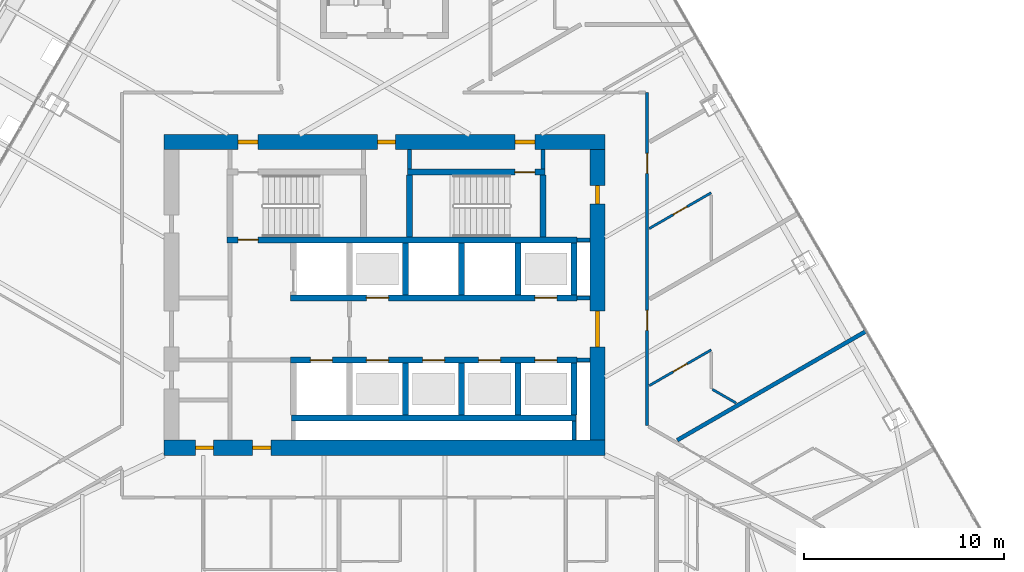
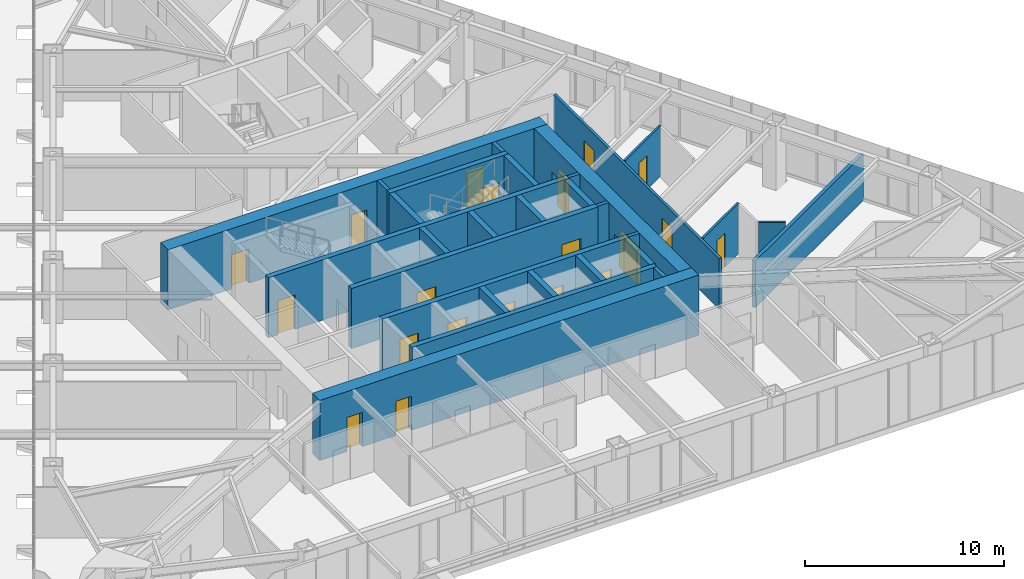
# One storey, part 28 of 35: 29 walls, 20 doors, 20 openings.
"""IFC4 building model written with IfcOpenShell, lengths in metres."""

from ifc_helpers import new_model, si_unit, direction, frame, frame_2d, origin, place, context, subcontext, project, spatial, rectangle, extrude, material, layer, layer_set, type_object, element, fill, save


model = new_model("IFC4")

# Units and contexts
model_context = context("Model", 3, precision=1e-05, world=origin(), true_north=direction((0.0, 1.0)))
body_context = subcontext(model_context, "Body", "Model", "MODEL_VIEW")
ifc_project = project(units=[si_unit("LENGTHUNIT", "METRE"), si_unit("AREAUNIT", "SQUARE_METRE"), si_unit("VOLUMEUNIT", "CUBIC_METRE"), si_unit("PLANEANGLEUNIT", "RADIAN"), si_unit("MASSUNIT", "GRAM", prefix="KILO")], contexts=[model_context])

# Site, building, storey
site_placement = place(None, origin())
site = spatial("IfcSite", under=ifc_project, at=site_placement, CompositionType="ELEMENT")
building_placement = place(site_placement, origin())
building = spatial("IfcBuilding", under=site, at=building_placement, Name="Firuza Gate Tower and Library", CompositionType="ELEMENT")
storey_placement = place(building_placement, frame((0.0, 0.0, 159.699951171875)))
storey = spatial("IfcBuildingStorey", under=building, at=storey_placement, Name="L36", CompositionType="ELEMENT", Elevation=159.699951171875)

# Walls
ifc_material_1 = material(Name="Plasterboard on steel studs", Category="steel")
ifc_layer_1 = layer(ifc_material_1, 0.199951171875)
ifc_layer_set_1 = layer_set([ifc_layer_1], Name="Core partition 200 EI 120")
wall_type_1 = type_object("IfcWallType", Name="Core partition 200 EI 120", PredefinedType="PARTITIONING", material=ifc_layer_set_1)
for number, where, z_axis, x_axis, name in (
    (1, (84.60009765625, 71.75, 0.0), (0.0, 0.0, 1.0), (1.0, 0.0, 0.0), "Core partition L36 3"),
    (2, (84.60009765625, 74.85009765625, 0.0), (0.0, 0.0, 1.0), (1.0, 0.0, 0.0), "Core partition L36 5"),
    (3, (84.60009765625, 77.75, 0.0), (0.0, 0.0, 1.0), (1.0, 0.0, 0.0), "Core partition L36 6"),
):
    element("IfcWall", number, at=place(storey_placement, frame(where, z_axis=z_axis, x_axis=x_axis)), inside=storey, type_object=wall_type_1, Name=name, PredefinedType="PARTITIONING", context=body_context, shape_type="SweptSolid", body=[
        extrude(rectangle(XDim=0.64990234375, YDim=0.199951171875, at=frame_2d((0.324951171875, 0.0))), origin(), (0.0, 0.0, 1.0), 3.699951171875),
    ])
wall_1_placement = place(storey_placement, frame((84.449951171875, 67.75, 0.0), z_axis=(0.0, 0.0, 1.0), x_axis=(0.0, 1.0, 0.0)))
element("IfcWall", 4, at=wall_1_placement, inside=storey, type_object=wall_type_1, Name="Core partition L36 15", PredefinedType="PARTITIONING", context=body_context, shape_type="SweptSolid", body=[
    extrude(rectangle(XDim=0.949951171875, YDim=0.199951171875, at=frame_2d((0.47509765625, 0.0))), origin(), (0.0, 0.0, 1.0), 3.699951171875),
])
ifc_material_2 = material(Name="Plasterboard on steel studs", Category="steel")
ifc_layer_2 = layer(ifc_material_2, 0.199951171875)
ifc_layer_set_2 = layer_set([ifc_layer_2], Name="Core partition 200 EI 60")
wall_type_2 = type_object("IfcWallType", Name="Core partition 200 EI 60", PredefinedType="PARTITIONING", material=ifc_layer_set_2)
for number, where, z_axis, x_axis, name in (
    (5, (76.239990234375, 81.280029296875, 0.0), (0.0, 0.0, 1.0), (0.0, 1.0, 0.0), "Core partition L36 13"),
    (6, (82.89990234375, 81.280029296875, 0.0), (0.0, 0.0, 1.0), (0.0, 1.0, 0.0), "Core partition L36 14"),
):
    element("IfcWall", number, at=place(storey_placement, frame(where, z_axis=z_axis, x_axis=x_axis)), inside=storey, type_object=wall_type_2, Name=name, PredefinedType="PARTITIONING", context=body_context, shape_type="SweptSolid", body=[
        extrude(rectangle(XDim=0.969970703125, YDim=0.199951171875, at=frame_2d((0.48486328125, 0.0))), origin(), (0.0, 0.0, 1.0), 3.699951171875),
    ])
ifc_material_3 = material(Name="Concrete C80/95", Category="concrete")
ifc_layer_3 = layer(ifc_material_3, 0.300048828125)
ifc_layer_set_3 = layer_set([ifc_layer_3], Name="Core wall 300 C80/95")
wall_type_3 = type_object("IfcWallType", Name="Core wall 300 C80/95", PredefinedType="SHEAR", material=ifc_layer_set_3)
wall_2_placement = place(storey_placement, frame((70.35009765625, 68.85009765625, 0.0), z_axis=(0.0, 0.0, 1.0), x_axis=(1.0, 0.0, 0.0)))
element("IfcWall", 7, at=wall_2_placement, inside=storey, type_object=wall_type_3, Name="Core wall L36 5", PredefinedType="SHEAR", context=body_context, shape_type="SweptSolid", body=[
    extrude(rectangle(XDim=14.199951171875, YDim=0.300048828125, at=frame_2d((7.10009765625, 0.0))), origin(), (0.0, 0.0, 1.0), 3.699951171875),
])

# Wall, openings, doors
wall_3_placement = place(storey_placement, frame((70.300048828125, 71.75, 0.0), z_axis=(0.0, 0.0, 1.0), x_axis=(1.0, 0.0, 0.0)))
wall_3 = element("IfcWall", 8, at=wall_3_placement, inside=storey, type_object=wall_type_3, Name="Core wall L36 6", PredefinedType="SHEAR", context=body_context, shape_type="SweptSolid", body=[
    extrude(rectangle(XDim=14.300048828125, YDim=0.300048828125, at=frame_2d((7.14990234375, 0.0))), origin(), (0.0, 0.0, 1.0), 3.699951171875),
])
opening_1_placement = place(wall_3_placement, frame((1.0, 0.0, 0.0)))
opening_1 = element("IfcOpeningElement", 9, at=opening_1_placement, cuts=wall_3, Name="Opening LD-FF1-L36", PredefinedType="OPENING", context=body_context, shape_type="SweptSolid", body=[
    extrude(rectangle(XDim=1.10009765625, YDim=2.10009765625, at=frame_2d((0.550048828125, 1.050048828125))), frame((0.0, 0.16015625, 0.0), z_axis=(0.0, -1.0, 0.0), x_axis=(1.0, 0.0, 0.0)), (0.0, 0.0, 1.0), 0.320068359375),
])
opening_2_placement = place(wall_3_placement, frame((3.800048828125, 0.0, 0.0)))
opening_2 = element("IfcOpeningElement", 10, at=opening_2_placement, cuts=wall_3, Name="Opening LD-MR1-L36", PredefinedType="OPENING", context=body_context, shape_type="SweptSolid", body=[
    extrude(rectangle(XDim=1.10009765625, YDim=2.10009765625, at=frame_2d((0.550048828125, 1.050048828125))), frame((0.0, 0.16015625, 0.0), z_axis=(0.0, -1.0, 0.0), x_axis=(1.0, 0.0, 0.0)), (0.0, 0.0, 1.0), 0.320068359375),
])
opening_3_placement = place(wall_3_placement, frame((6.60009765625, 0.0, 0.0)))
opening_3 = element("IfcOpeningElement", 11, at=opening_3_placement, cuts=wall_3, Name="Opening LD-MR2-L36", PredefinedType="OPENING", context=body_context, shape_type="SweptSolid", body=[
    extrude(rectangle(XDim=1.10009765625, YDim=2.10009765625, at=frame_2d((0.550048828125, 1.050048828125))), frame((0.0, 0.16015625, 0.0), z_axis=(0.0, -1.0, 0.0), x_axis=(1.0, 0.0, 0.0)), (0.0, 0.0, 1.0), 0.320068359375),
])
opening_4_placement = place(wall_3_placement, frame((9.39990234375, 0.0, 0.0)))
opening_4 = element("IfcOpeningElement", 12, at=opening_4_placement, cuts=wall_3, Name="Opening LD-MR3-L36", PredefinedType="OPENING", context=body_context, shape_type="SweptSolid", body=[
    extrude(rectangle(XDim=1.10009765625, YDim=2.10009765625, at=frame_2d((0.550048828125, 1.050048828125))), frame((0.0, 0.16015625, 0.0), z_axis=(0.0, -1.0, 0.0), x_axis=(1.0, 0.0, 0.0)), (0.0, 0.0, 1.0), 0.320068359375),
])
opening_5_placement = place(wall_3_placement, frame((12.199951171875, 0.0, 0.0)))
opening_5 = element("IfcOpeningElement", 13, at=opening_5_placement, cuts=wall_3, Name="Opening LD-MR5-L36", PredefinedType="OPENING", context=body_context, shape_type="SweptSolid", body=[
    extrude(rectangle(XDim=1.10009765625, YDim=2.10009765625, at=frame_2d((0.550048828125, 1.050048828125))), frame((0.0, 0.16015625, 0.0), z_axis=(0.0, -1.0, 0.0), x_axis=(1.0, 0.0, 0.0)), (0.0, 0.0, 1.0), 0.320068359375),
])
ifc_material_4 = material(Name="Stainless steel", Category="steel")
door_type_1 = type_object("IfcDoorType", Name="Lift landing door 1100x2100", OperationType="DOUBLE_DOOR_SLIDING", PredefinedType="DOOR", material=ifc_material_4)
door_1_placement = place(opening_1_placement, origin())
door_1 = element("IfcDoor", 14, at=door_1_placement, inside=storey, type_object=door_type_1, Name="Landing door FF1 L36", OperationType="DOUBLE_DOOR_SLIDING", OverallHeight=2.10009765625, OverallWidth=1.10009765625, PredefinedType="DOOR", context=body_context, shape_type="SweptSolid", body=[
    extrude(rectangle(XDim=1.10009765625, YDim=2.10009765625, at=frame_2d((0.550048828125, 1.050048828125))), frame((0.0, 0.02490234375, 0.0), z_axis=(0.0, -1.0, 0.0), x_axis=(1.0, 0.0, 0.0)), (0.0, 0.0, 1.0), 0.050048828125),
])
fill(opening_1, door_1)
door_2_placement = place(opening_2_placement, origin())
door_2 = element("IfcDoor", 15, at=door_2_placement, inside=storey, type_object=door_type_1, Name="Landing door MR1 L36", OperationType="DOUBLE_DOOR_SLIDING", OverallHeight=2.10009765625, OverallWidth=1.10009765625, PredefinedType="DOOR", context=body_context, shape_type="SweptSolid", body=[
    extrude(rectangle(XDim=1.10009765625, YDim=2.10009765625, at=frame_2d((0.550048828125, 1.050048828125))), frame((0.0, 0.02490234375, 0.0), z_axis=(0.0, -1.0, 0.0), x_axis=(1.0, 0.0, 0.0)), (0.0, 0.0, 1.0), 0.050048828125),
])
fill(opening_2, door_2)
door_3_placement = place(opening_3_placement, origin())
door_3 = element("IfcDoor", 16, at=door_3_placement, inside=storey, type_object=door_type_1, Name="Landing door MR2 L36", OperationType="DOUBLE_DOOR_SLIDING", OverallHeight=2.10009765625, OverallWidth=1.10009765625, PredefinedType="DOOR", context=body_context, shape_type="SweptSolid", body=[
    extrude(rectangle(XDim=1.10009765625, YDim=2.10009765625, at=frame_2d((0.550048828125, 1.050048828125))), frame((0.0, 0.02490234375, 0.0), z_axis=(0.0, -1.0, 0.0), x_axis=(1.0, 0.0, 0.0)), (0.0, 0.0, 1.0), 0.050048828125),
])
fill(opening_3, door_3)
door_4_placement = place(opening_4_placement, origin())
door_4 = element("IfcDoor", 17, at=door_4_placement, inside=storey, type_object=door_type_1, Name="Landing door MR3 L36", OperationType="DOUBLE_DOOR_SLIDING", OverallHeight=2.10009765625, OverallWidth=1.10009765625, PredefinedType="DOOR", context=body_context, shape_type="SweptSolid", body=[
    extrude(rectangle(XDim=1.10009765625, YDim=2.10009765625, at=frame_2d((0.550048828125, 1.050048828125))), frame((0.0, 0.02490234375, 0.0), z_axis=(0.0, -1.0, 0.0), x_axis=(1.0, 0.0, 0.0)), (0.0, 0.0, 1.0), 0.050048828125),
])
fill(opening_4, door_4)
door_5_placement = place(opening_5_placement, origin())
door_5 = element("IfcDoor", 18, at=door_5_placement, inside=storey, type_object=door_type_1, Name="Landing door MR5 L36", OperationType="DOUBLE_DOOR_SLIDING", OverallHeight=2.10009765625, OverallWidth=1.10009765625, PredefinedType="DOOR", context=body_context, shape_type="SweptSolid", body=[
    extrude(rectangle(XDim=1.10009765625, YDim=2.10009765625, at=frame_2d((0.550048828125, 1.050048828125))), frame((0.0, 0.02490234375, 0.0), z_axis=(0.0, -1.0, 0.0), x_axis=(1.0, 0.0, 0.0)), (0.0, 0.0, 1.0), 0.050048828125),
])
fill(opening_5, door_5)

wall_4_placement = place(storey_placement, frame((70.300048828125, 74.85009765625, 0.0), z_axis=(0.0, 0.0, 1.0), x_axis=(1.0, 0.0, 0.0)))
wall_4 = element("IfcWall", 19, at=wall_4_placement, inside=storey, type_object=wall_type_3, Name="Core wall L36 7", PredefinedType="SHEAR", context=body_context, shape_type="SweptSolid", body=[
    extrude(rectangle(XDim=14.300048828125, YDim=0.300048828125, at=frame_2d((7.14990234375, 0.0))), origin(), (0.0, 0.0, 1.0), 3.699951171875),
])
opening_6_placement = place(wall_4_placement, frame((3.800048828125, 0.0, 0.0)))
opening_6 = element("IfcOpeningElement", 20, at=opening_6_placement, cuts=wall_4, Name="Opening LD-MR4-L36", PredefinedType="OPENING", context=body_context, shape_type="SweptSolid", body=[
    extrude(rectangle(XDim=1.10009765625, YDim=2.10009765625, at=frame_2d((0.550048828125, 1.050048828125))), frame((0.0, 0.16015625, 0.0), z_axis=(0.0, -1.0, 0.0), x_axis=(1.0, 0.0, 0.0)), (0.0, 0.0, 1.0), 0.320068359375),
])
opening_7_placement = place(wall_4_placement, frame((12.199951171875, 0.0, 0.0)))
opening_7 = element("IfcOpeningElement", 21, at=opening_7_placement, cuts=wall_4, Name="Opening LD-MR6-L36", PredefinedType="OPENING", context=body_context, shape_type="SweptSolid", body=[
    extrude(rectangle(XDim=1.10009765625, YDim=2.10009765625, at=frame_2d((0.550048828125, 1.050048828125))), frame((0.0, 0.16015625, 0.0), z_axis=(0.0, -1.0, 0.0), x_axis=(1.0, 0.0, 0.0)), (0.0, 0.0, 1.0), 0.320068359375),
])
door_6_placement = place(opening_6_placement, origin())
door_6 = element("IfcDoor", 22, at=door_6_placement, inside=storey, type_object=door_type_1, Name="Landing door MR4 L36", OperationType="DOUBLE_DOOR_SLIDING", OverallHeight=2.10009765625, OverallWidth=1.10009765625, PredefinedType="DOOR", context=body_context, shape_type="SweptSolid", body=[
    extrude(rectangle(XDim=1.10009765625, YDim=2.10009765625, at=frame_2d((0.550048828125, 1.050048828125))), frame((0.0, 0.02490234375, 0.0), z_axis=(0.0, -1.0, 0.0), x_axis=(1.0, 0.0, 0.0)), (0.0, 0.0, 1.0), 0.050048828125),
])
fill(opening_6, door_6)
door_7_placement = place(opening_7_placement, origin())
door_7 = element("IfcDoor", 23, at=door_7_placement, inside=storey, type_object=door_type_1, Name="Landing door MR6 L36", OperationType="DOUBLE_DOOR_SLIDING", OverallHeight=2.10009765625, OverallWidth=1.10009765625, PredefinedType="DOOR", context=body_context, shape_type="SweptSolid", body=[
    extrude(rectangle(XDim=1.10009765625, YDim=2.10009765625, at=frame_2d((0.550048828125, 1.050048828125))), frame((0.0, 0.02490234375, 0.0), z_axis=(0.0, -1.0, 0.0), x_axis=(1.0, 0.0, 0.0)), (0.0, 0.0, 1.0), 0.050048828125),
])
fill(opening_7, door_7)

# Walls
for number, where, z_axis, x_axis, name in (
    (24, (76.050048828125, 69.0, 0.0), (0.0, 0.0, 1.0), (0.0, 1.0, 0.0), "Core wall L36 12"),
    (25, (76.050048828125, 75.0, 0.0), (0.0, 0.0, 1.0), (0.0, 1.0, 0.0), "Core wall L36 13"),
    (26, (78.85009765625, 69.0, 0.0), (0.0, 0.0, 1.0), (0.0, 1.0, 0.0), "Core wall L36 14"),
    (27, (78.85009765625, 75.0, 0.0), (0.0, 0.0, 1.0), (0.0, 1.0, 0.0), "Core wall L36 15"),
    (28, (81.64990234375, 69.0, 0.0), (0.0, 0.0, 1.0), (0.0, 1.0, 0.0), "Core wall L36 16"),
    (29, (81.64990234375, 75.0, 0.0), (0.0, 0.0, 1.0), (0.0, 1.0, 0.0), "Core wall L36 17"),
    (30, (84.449951171875, 69.0, 0.0), (0.0, 0.0, 1.0), (0.0, 1.0, 0.0), "Core wall L36 18"),
    (31, (84.449951171875, 75.0, 0.0), (0.0, 0.0, 1.0), (0.0, 1.0, 0.0), "Core wall L36 19"),
):
    element("IfcWall", number, at=place(storey_placement, frame(where, z_axis=z_axis, x_axis=x_axis)), inside=storey, type_object=wall_type_3, Name=name, PredefinedType="SHEAR", context=body_context, shape_type="SweptSolid", body=[
        extrude(rectangle(XDim=2.60009765625, YDim=0.300048828125, at=frame_2d((1.300048828125, 0.0))), origin(), (0.0, 0.0, 1.0), 3.699951171875),
    ])

# Wall, opening, door
wall_5_placement = place(storey_placement, frame((67.14990234375, 77.75, 0.0), z_axis=(0.0, 0.0, 1.0), x_axis=(1.0, 0.0, 0.0)))
wall_5 = element("IfcWall", 32, at=wall_5_placement, inside=storey, type_object=wall_type_3, Name="Core wall L36 20", PredefinedType="SHEAR", context=body_context, shape_type="SweptSolid", body=[
    extrude(rectangle(XDim=17.4501953125, YDim=0.300048828125, at=frame_2d((8.72509765625, 0.0))), origin(), (0.0, 0.0, 1.0), 3.699951171875),
])
opening_8_placement = place(wall_5_placement, frame((0.544921875, 0.0, 0.0)))
opening_8 = element("IfcOpeningElement", 33, at=opening_8_placement, cuts=wall_5, Name="Opening L36-K10", PredefinedType="OPENING", context=body_context, shape_type="SweptSolid", body=[
    extrude(rectangle(XDim=1.0, YDim=2.10009765625, at=frame_2d((0.5, 1.050048828125))), frame((0.0, 0.16015625, 0.0), z_axis=(0.0, -1.0, 0.0), x_axis=(1.0, 0.0, 0.0)), (0.0, 0.0, 1.0), 0.320068359375),
])
ifc_material_5 = material(Name="Steel", Category="steel")
door_type_2 = type_object("IfcDoorType", Name="Fire door 1000x2100 FD90", OperationType="NOTDEFINED", PredefinedType="DOOR", material=ifc_material_5)
door_8_placement = place(opening_8_placement, origin())
door_8 = element("IfcDoor", 34, at=door_8_placement, inside=storey, type_object=door_type_2, Name="Door L36-K10", OperationType="SINGLE_SWING_LEFT", OverallHeight=2.10009765625, OverallWidth=1.0, PredefinedType="DOOR", context=body_context, shape_type="SweptSolid", body=[
    extrude(rectangle(XDim=1.0, YDim=2.10009765625, at=frame_2d((0.5, 1.050048828125))), frame((0.0, 0.02490234375, 0.0), z_axis=(0.0, -1.0, 0.0), x_axis=(1.0, 0.0, 0.0)), (0.0, 0.0, 1.0), 0.050048828125),
])
fill(opening_8, door_8)

wall_6_placement = place(storey_placement, frame((76.139892578125, 81.1298828125, 0.0), z_axis=(0.0, 0.0, 1.0), x_axis=(1.0, 0.0, 0.0)))
wall_6 = element("IfcWall", 35, at=wall_6_placement, inside=storey, type_object=wall_type_3, Name="Core wall L36 22", PredefinedType="SHEAR", context=body_context, shape_type="SweptSolid", body=[
    extrude(rectangle(XDim=6.860107421875, YDim=0.300048828125, at=frame_2d((3.43017578125, 0.0))), origin(), (0.0, 0.0, 1.0), 3.699951171875),
])
opening_9_placement = place(wall_6_placement, frame((5.364990234375, 0.0, 0.0)))
opening_9 = element("IfcOpeningElement", 36, at=opening_9_placement, cuts=wall_6, Name="Opening L36-K13", PredefinedType="OPENING", context=body_context, shape_type="SweptSolid", body=[
    extrude(rectangle(XDim=1.0, YDim=2.10009765625, at=frame_2d((0.5, 1.050048828125))), frame((0.0, 0.16015625, 0.0), z_axis=(0.0, -1.0, 0.0), x_axis=(1.0, 0.0, 0.0)), (0.0, 0.0, 1.0), 0.320068359375),
])
door_9_placement = place(opening_9_placement, origin())
door_9 = element("IfcDoor", 37, at=door_9_placement, inside=storey, type_object=door_type_2, Name="Door L36-K13", OperationType="SINGLE_SWING_RIGHT", OverallHeight=2.10009765625, OverallWidth=1.0, PredefinedType="DOOR", context=body_context, shape_type="SweptSolid", body=[
    extrude(rectangle(XDim=1.0, YDim=2.10009765625, at=frame_2d((0.5, 1.050048828125))), frame((0.0, 0.02490234375, 0.0), z_axis=(0.0, -1.0, 0.0), x_axis=(1.0, 0.0, 0.0)), (0.0, 0.0, 1.0), 0.050048828125),
])
fill(opening_9, door_9)

# Walls
for number, where, z_axis, x_axis, name in (
    (38, (76.239990234375, 77.89990234375, 0.0), (0.0, 0.0, 1.0), (0.0, 1.0, 0.0), "Core wall L36 25"),
    (39, (82.89990234375, 77.89990234375, 0.0), (0.0, 0.0, 1.0), (0.0, 1.0, 0.0), "Core wall L36 26"),
):
    element("IfcWall", number, at=place(storey_placement, frame(where, z_axis=z_axis, x_axis=x_axis)), inside=storey, type_object=wall_type_3, Name=name, PredefinedType="SHEAR", context=body_context, shape_type="SweptSolid", body=[
        extrude(rectangle(XDim=3.080078125, YDim=0.300048828125, at=frame_2d((1.5400390625, 0.0))), origin(), (0.0, 0.0, 1.0), 3.699951171875),
    ])

# Wall, openings, doors
ifc_material_6 = material(Name="Concrete C80/95", Category="concrete")
ifc_layer_4 = layer(ifc_material_6, 0.75)
ifc_layer_set_4 = layer_set([ifc_layer_4], Name="Core wall 750 C80/95")
wall_type_4 = type_object("IfcWallType", Name="Core wall 750 C80/95", PredefinedType="SHEAR", material=ifc_layer_set_4)
wall_7_placement = place(storey_placement, frame((64.0, 67.375, 0.0), z_axis=(0.0, 0.0, 1.0), x_axis=(1.0, 0.0, 0.0)))
wall_7 = element("IfcWall", 40, at=wall_7_placement, inside=storey, type_object=wall_type_4, Name="Core wall L36 1", PredefinedType="SHEAR", context=body_context, shape_type="SweptSolid", body=[
    extrude(rectangle(XDim=22.0, YDim=0.75, at=frame_2d((11.0, 0.0))), origin(), (0.0, 0.0, 1.0), 3.699951171875),
])
opening_10_placement = place(wall_7_placement, frame((1.574951171875, 0.0, 0.0)))
opening_10 = element("IfcOpeningElement", 41, at=opening_10_placement, cuts=wall_7, Name="Opening L36-K22", PredefinedType="OPENING", context=body_context, shape_type="SweptSolid", body=[
    extrude(rectangle(XDim=0.89990234375, YDim=2.10009765625, at=frame_2d((0.449951171875, 1.050048828125))), frame((0.0, 0.385009765625, 0.0), z_axis=(0.0, -1.0, 0.0), x_axis=(1.0, 0.0, 0.0)), (0.0, 0.0, 1.0), 0.77001953125),
])
opening_11_placement = place(wall_7_placement, frame((4.425048828125, 0.0, 0.0)))
opening_11 = element("IfcOpeningElement", 42, at=opening_11_placement, cuts=wall_7, Name="Opening L36-K24", PredefinedType="OPENING", context=body_context, shape_type="SweptSolid", body=[
    extrude(rectangle(XDim=0.89990234375, YDim=2.10009765625, at=frame_2d((0.449951171875, 1.050048828125))), frame((0.0, 0.385009765625, 0.0), z_axis=(0.0, -1.0, 0.0), x_axis=(1.0, 0.0, 0.0)), (0.0, 0.0, 1.0), 0.77001953125),
])
ifc_material_7 = material(Name="Steel", Category="steel")
door_type_3 = type_object("IfcDoorType", Name="Fire door 900x2100 FD30S", OperationType="NOTDEFINED", PredefinedType="DOOR", material=ifc_material_7)
door_10_placement = place(opening_10_placement, origin())
door_10 = element("IfcDoor", 43, at=door_10_placement, inside=storey, type_object=door_type_3, Name="Door L36-K22", OperationType="SINGLE_SWING_LEFT", OverallHeight=2.10009765625, OverallWidth=0.89990234375, PredefinedType="DOOR", context=body_context, shape_type="SweptSolid", body=[
    extrude(rectangle(XDim=0.89990234375, YDim=2.10009765625, at=frame_2d((0.449951171875, 1.050048828125))), frame((0.0, 0.094970703125, 0.0), z_axis=(0.0, -1.0, 0.0), x_axis=(1.0, 0.0, 0.0)), (0.0, 0.0, 1.0), 0.18994140625),
])
fill(opening_10, door_10)
door_11_placement = place(opening_11_placement, origin())
door_11 = element("IfcDoor", 44, at=door_11_placement, inside=storey, type_object=door_type_3, Name="Door L36-K24", OperationType="SINGLE_SWING_LEFT", OverallHeight=2.10009765625, OverallWidth=0.89990234375, PredefinedType="DOOR", context=body_context, shape_type="SweptSolid", body=[
    extrude(rectangle(XDim=0.89990234375, YDim=2.10009765625, at=frame_2d((0.449951171875, 1.050048828125))), frame((0.0, 0.094970703125, 0.0), z_axis=(0.0, -1.0, 0.0), x_axis=(1.0, 0.0, 0.0)), (0.0, 0.0, 1.0), 0.18994140625),
])
fill(opening_11, door_11)

wall_8_placement = place(storey_placement, frame((64.0, 82.625, 0.0), z_axis=(0.0, 0.0, 1.0), x_axis=(1.0, 0.0, 0.0)))
wall_8 = element("IfcWall", 45, at=wall_8_placement, inside=storey, type_object=wall_type_4, Name="Core wall L36 2", PredefinedType="SHEAR", context=body_context, shape_type="SweptSolid", body=[
    extrude(rectangle(XDim=22.0, YDim=0.75, at=frame_2d((11.0, 0.0))), origin(), (0.0, 0.0, 1.0), 3.699951171875),
])
opening_12_placement = place(wall_8_placement, frame((3.695068359375, 0.0, 0.0)))
opening_12 = element("IfcOpeningElement", 46, at=opening_12_placement, cuts=wall_8, Name="Opening L36-K12", PredefinedType="OPENING", context=body_context, shape_type="SweptSolid", body=[
    extrude(rectangle(XDim=1.0, YDim=2.10009765625, at=frame_2d((0.5, 1.050048828125))), frame((0.0, 0.385009765625, 0.0), z_axis=(0.0, -1.0, 0.0), x_axis=(1.0, 0.0, 0.0)), (0.0, 0.0, 1.0), 0.77001953125),
])
opening_13_placement = place(wall_8_placement, frame((17.5048828125, 0.0, 0.0)))
opening_13 = element("IfcOpeningElement", 47, at=opening_13_placement, cuts=wall_8, Name="Opening L36-K14", PredefinedType="OPENING", context=body_context, shape_type="SweptSolid", body=[
    extrude(rectangle(XDim=1.0, YDim=2.10009765625, at=frame_2d((0.5, 1.050048828125))), frame((0.0, 0.385009765625, 0.0), z_axis=(0.0, -1.0, 0.0), x_axis=(1.0, 0.0, 0.0)), (0.0, 0.0, 1.0), 0.77001953125),
])
opening_14_placement = place(wall_8_placement, frame((10.64990234375, 0.0, 0.0)))
opening_14 = element("IfcOpeningElement", 48, at=opening_14_placement, cuts=wall_8, Name="Opening L36-K26", PredefinedType="OPENING", context=body_context, shape_type="SweptSolid", body=[
    extrude(rectangle(XDim=0.89990234375, YDim=2.10009765625, at=frame_2d((0.449951171875, 1.050048828125))), frame((0.0, 0.385009765625, 0.0), z_axis=(0.0, -1.0, 0.0), x_axis=(1.0, 0.0, 0.0)), (0.0, 0.0, 1.0), 0.77001953125),
])
door_12_placement = place(opening_12_placement, origin())
door_12 = element("IfcDoor", 49, at=door_12_placement, inside=storey, type_object=door_type_2, Name="Door L36-K12", OperationType="SINGLE_SWING_LEFT", OverallHeight=2.10009765625, OverallWidth=1.0, PredefinedType="DOOR", context=body_context, shape_type="SweptSolid", body=[
    extrude(rectangle(XDim=1.0, YDim=2.10009765625, at=frame_2d((0.5, 1.050048828125))), frame((0.0, 0.094970703125, 0.0), z_axis=(0.0, -1.0, 0.0), x_axis=(1.0, 0.0, 0.0)), (0.0, 0.0, 1.0), 0.18994140625),
])
fill(opening_12, door_12)
door_13_placement = place(opening_13_placement, origin())
door_13 = element("IfcDoor", 50, at=door_13_placement, inside=storey, type_object=door_type_2, Name="Door L36-K14", OperationType="SINGLE_SWING_LEFT", OverallHeight=2.10009765625, OverallWidth=1.0, PredefinedType="DOOR", context=body_context, shape_type="SweptSolid", body=[
    extrude(rectangle(XDim=1.0, YDim=2.10009765625, at=frame_2d((0.5, 1.050048828125))), frame((0.0, 0.094970703125, 0.0), z_axis=(0.0, -1.0, 0.0), x_axis=(1.0, 0.0, 0.0)), (0.0, 0.0, 1.0), 0.18994140625),
])
fill(opening_13, door_13)
door_14_placement = place(opening_14_placement, origin())
door_14 = element("IfcDoor", 51, at=door_14_placement, inside=storey, type_object=door_type_3, Name="Door L36-K26", OperationType="SINGLE_SWING_LEFT", OverallHeight=2.10009765625, OverallWidth=0.89990234375, PredefinedType="DOOR", context=body_context, shape_type="SweptSolid", body=[
    extrude(rectangle(XDim=0.89990234375, YDim=2.10009765625, at=frame_2d((0.449951171875, 1.050048828125))), frame((0.0, 0.094970703125, 0.0), z_axis=(0.0, -1.0, 0.0), x_axis=(1.0, 0.0, 0.0)), (0.0, 0.0, 1.0), 0.18994140625),
])
fill(opening_14, door_14)

wall_9_placement = place(storey_placement, frame((85.625, 67.75, 0.0), z_axis=(0.0, 0.0, 1.0), x_axis=(0.0, 1.0, 0.0)))
wall_9 = element("IfcWall", 52, at=wall_9_placement, inside=storey, type_object=wall_type_4, Name="Core wall L36 4", PredefinedType="SHEAR", context=body_context, shape_type="SweptSolid", body=[
    extrude(rectangle(XDim=14.5, YDim=0.75, at=frame_2d((7.25, 0.0))), origin(), (0.0, 0.0, 1.0), 3.699951171875),
])
opening_15_placement = place(wall_9_placement, frame((4.64990234375, 0.0, 0.0)))
opening_15 = element("IfcOpeningElement", 53, at=opening_15_placement, cuts=wall_9, Name="Opening L36-K21", PredefinedType="OPENING", context=body_context, shape_type="SweptSolid", body=[
    extrude(rectangle(XDim=1.800048828125, YDim=2.10009765625, at=frame_2d((0.89990234375, 1.050048828125))), frame((0.0, 0.385009765625, 0.0), z_axis=(0.0, -1.0, 0.0), x_axis=(1.0, 0.0, 0.0)), (0.0, 0.0, 1.0), 0.77001953125),
])
opening_16_placement = place(wall_9_placement, frame((11.800048828125, 0.0, 0.0)))
opening_16 = element("IfcOpeningElement", 54, at=opening_16_placement, cuts=wall_9, Name="Opening L36-K27", PredefinedType="OPENING", context=body_context, shape_type="SweptSolid", body=[
    extrude(rectangle(XDim=0.89990234375, YDim=2.10009765625, at=frame_2d((0.449951171875, 1.050048828125))), frame((0.0, 0.385009765625, 0.0), z_axis=(0.0, -1.0, 0.0), x_axis=(1.0, 0.0, 0.0)), (0.0, 0.0, 1.0), 0.77001953125),
])
ifc_material_8 = material(Name="Steel", Category="steel")
door_type_4 = type_object("IfcDoorType", Name="Fire door 1800x2100 FD30S", OperationType="NOTDEFINED", PredefinedType="DOOR", material=ifc_material_8)
door_15_placement = place(opening_15_placement, origin())
door_15 = element("IfcDoor", 55, at=door_15_placement, inside=storey, type_object=door_type_4, Name="Door L36-K21", OperationType="SINGLE_SWING_RIGHT", OverallHeight=2.10009765625, OverallWidth=1.800048828125, PredefinedType="DOOR", context=body_context, shape_type="SweptSolid", body=[
    extrude(rectangle(XDim=1.800048828125, YDim=2.10009765625, at=frame_2d((0.89990234375, 1.050048828125))), frame((0.0, 0.094970703125, 0.0), z_axis=(0.0, -1.0, 0.0), x_axis=(1.0, 0.0, 0.0)), (0.0, 0.0, 1.0), 0.18994140625),
])
fill(opening_15, door_15)
door_16_placement = place(opening_16_placement, origin())
door_16 = element("IfcDoor", 56, at=door_16_placement, inside=storey, type_object=door_type_3, Name="Door L36-K27", OperationType="SINGLE_SWING_RIGHT", OverallHeight=2.10009765625, OverallWidth=0.89990234375, PredefinedType="DOOR", context=body_context, shape_type="SweptSolid", body=[
    extrude(rectangle(XDim=0.89990234375, YDim=2.10009765625, at=frame_2d((0.449951171875, 1.050048828125))), frame((0.0, 0.094970703125, 0.0), z_axis=(0.0, -1.0, 0.0), x_axis=(1.0, 0.0, 0.0)), (0.0, 0.0, 1.0), 0.18994140625),
])
fill(opening_16, door_16)

ifc_material_9 = material(Name="Gypsum board partition")
ifc_layer_5 = layer(ifc_material_9, 0.14990234375)
ifc_layer_set_5 = layer_set([ifc_layer_5], Name="Corridor wall 150 double board on steel studs")
wall_type_5 = type_object("IfcWallType", Name="Corridor wall 150 double board on steel studs", PredefinedType="PARTITIONING", material=ifc_layer_set_5)
wall_10_placement = place(storey_placement, frame((88.10009765625, 85.10009765625, 0.0), z_axis=(0.0, 0.0, 1.0), x_axis=(0.0, -1.0, 0.0)))
wall_10 = element("IfcWall", 57, at=wall_10_placement, inside=storey, type_object=wall_type_5, Name="f:L36:w047", PredefinedType="PARTITIONING", context=body_context, shape_type="SweptSolid", body=[
    extrude(rectangle(XDim=16.624267578125, YDim=0.14990234375, at=frame_2d((8.31201171875, 0.0))), origin(), (0.0, 0.0, 1.0), 3.10009765625),
])
opening_17_placement = place(wall_10_placement, frame((3.031005859375, 0.0, 0.0)))
opening_17 = element("IfcOpeningElement", 58, at=opening_17_placement, cuts=wall_10, Name="Opening L36-25", PredefinedType="OPENING", context=body_context, shape_type="SweptSolid", body=[
    extrude(rectangle(XDim=1.0, YDim=2.10009765625, at=frame_2d((0.5, 1.050048828125))), frame((0.0, 0.0849609375, 0.0), z_axis=(0.0, -1.0, 0.0), x_axis=(1.0, 0.0, 0.0)), (0.0, 0.0, 1.0), 0.169921875),
])
opening_18_placement = place(wall_10_placement, frame((10.8720703125, 0.0, 0.0)))
opening_18 = element("IfcOpeningElement", 59, at=opening_18_placement, cuts=wall_10, Name="Opening L36-26", PredefinedType="OPENING", context=body_context, shape_type="SweptSolid", body=[
    extrude(rectangle(XDim=1.0, YDim=2.10009765625, at=frame_2d((0.5, 1.050048828125))), frame((0.0, 0.0849609375, 0.0), z_axis=(0.0, -1.0, 0.0), x_axis=(1.0, 0.0, 0.0)), (0.0, 0.0, 1.0), 0.169921875),
])
ifc_material_10 = material(Name="Steel door and timber leaf", Category="steel")
door_type_5 = type_object("IfcDoorType", Name="Fire door 1000 x 2100 steel frame, timber leaf", OperationType="NOTDEFINED", PredefinedType="DOOR", material=ifc_material_10)
door_17_placement = place(opening_17_placement, origin())
door_17 = element("IfcDoor", 60, at=door_17_placement, inside=storey, type_object=door_type_5, Name="f:L36:d025", OperationType="SINGLE_SWING_LEFT", OverallHeight=2.10009765625, OverallWidth=1.0, PredefinedType="DOOR", context=body_context, shape_type="SweptSolid", body=[
    extrude(rectangle(XDim=1.0, YDim=2.10009765625, at=frame_2d((0.5, 1.050048828125))), frame((0.0, 0.02490234375, 0.0), z_axis=(0.0, -1.0, 0.0), x_axis=(1.0, 0.0, 0.0)), (0.0, 0.0, 1.0), 0.050048828125),
])
fill(opening_17, door_17)
door_18_placement = place(opening_18_placement, origin())
door_18 = element("IfcDoor", 61, at=door_18_placement, inside=storey, type_object=door_type_5, Name="f:L36:d026", OperationType="SINGLE_SWING_LEFT", OverallHeight=2.10009765625, OverallWidth=1.0, PredefinedType="DOOR", context=body_context, shape_type="SweptSolid", body=[
    extrude(rectangle(XDim=1.0, YDim=2.10009765625, at=frame_2d((0.5, 1.050048828125))), frame((0.0, 0.02490234375, 0.0), z_axis=(0.0, -1.0, 0.0), x_axis=(1.0, 0.0, 0.0)), (0.0, 0.0, 1.0), 0.050048828125),
])
fill(opening_18, door_18)

# Wall
ifc_material_11 = material(Name="Gypsum board partition")
ifc_layer_6 = layer(ifc_material_11, 0.199951171875)
ifc_layer_set_6 = layer_set([ifc_layer_6], Name="Demising wall 200 acoustic double stud")
wall_type_6 = type_object("IfcWallType", Name="Demising wall 200 acoustic double stud", PredefinedType="PARTITIONING", material=ifc_layer_set_6)
wall_11_placement = place(storey_placement, frame((89.60791015625, 67.751953125, 0.0), z_axis=(0.0, 0.0, 1.0), x_axis=(0.86602628359, 0.499998476129, 0.0)))
element("IfcWall", 62, at=wall_11_placement, inside=storey, type_object=wall_type_6, Name="f:L36:w020", PredefinedType="PARTITIONING", context=body_context, shape_type="SweptSolid", body=[
    extrude(rectangle(XDim=10.8720703125, YDim=0.199951171875, at=frame_2d((5.43603515625, 0.0))), origin(), (0.0, 0.0, 1.0), 2.864990234375),
])

# Wall, opening, door
ifc_material_12 = material(Name="Gypsum board partition")
ifc_layer_7 = layer(ifc_material_12, 0.1201171875)
ifc_layer_set_7 = layer_set([ifc_layer_7], Name="Wet-area partition 120 moisture-resistant board")
wall_type_7 = type_object("IfcWallType", Name="Wet-area partition 120 moisture-resistant board", PredefinedType="PARTITIONING", material=ifc_layer_set_7)
wall_12_placement = place(storey_placement, frame((91.2998046875, 72.257568359375, 0.0), z_axis=(0.0, 0.0, 1.0), x_axis=(-0.866028357664, -0.499994883695, 0.0)))
wall_12 = element("IfcWall", 63, at=wall_12_placement, inside=storey, type_object=wall_type_7, Name="f:L36:w021", PredefinedType="PARTITIONING", context=body_context, shape_type="SweptSolid", body=[
    extrude(rectangle(XDim=3.568359375, YDim=0.1201171875, at=frame_2d((1.7841796875, 0.0))), origin(), (0.0, 0.0, 1.0), 3.10009765625),
])
opening_19_placement = place(wall_12_placement, frame((1.38427734375, 0.0, 0.0)))
opening_19 = element("IfcOpeningElement", 64, at=opening_19_placement, cuts=wall_12, Name="Opening L36-16", PredefinedType="OPENING", context=body_context, shape_type="SweptSolid", body=[
    extrude(rectangle(XDim=0.800048828125, YDim=2.10009765625, at=frame_2d((0.39990234375, 1.050048828125))), frame((0.0, 0.070068359375, 0.0), z_axis=(0.0, -1.0, 0.0), x_axis=(1.0, 0.0, 0.0)), (0.0, 0.0, 1.0), 0.14013671875),
])
ifc_material_13 = material(Name="Timber door", Category="wood")
door_type_6 = type_object("IfcDoorType", Name="Door 800 x 2100 timber leaf", OperationType="NOTDEFINED", PredefinedType="DOOR", material=ifc_material_13)
door_19_placement = place(opening_19_placement, origin())
door_19 = element("IfcDoor", 65, at=door_19_placement, inside=storey, type_object=door_type_6, Name="f:L36:d016", OperationType="SINGLE_SWING_RIGHT", OverallHeight=2.10009765625, OverallWidth=0.800048828125, PredefinedType="DOOR", context=body_context, shape_type="SweptSolid", body=[
    extrude(rectangle(XDim=0.800048828125, YDim=2.10009765625, at=frame_2d((0.39990234375, 1.050048828125))), frame((0.0, 0.02490234375, 0.0), z_axis=(0.0, -1.0, 0.0), x_axis=(1.0, 0.0, 0.0)), (0.0, 0.0, 1.0), 0.050048828125),
])
fill(opening_19, door_19)

wall_13_placement = place(storey_placement, frame((91.300048828125, 80.09814453125, 0.0), z_axis=(0.0, 0.0, 1.0), x_axis=(-0.866028357664, -0.499994883695, 0.0)))
wall_13 = element("IfcWall", 66, at=wall_13_placement, inside=storey, type_object=wall_type_7, Name="f:L36:w023", PredefinedType="PARTITIONING", context=body_context, shape_type="SweptSolid", body=[
    extrude(rectangle(XDim=3.568359375, YDim=0.1201171875, at=frame_2d((1.7841796875, 0.0))), origin(), (0.0, 0.0, 1.0), 3.10009765625),
])
opening_20_placement = place(wall_13_placement, frame((1.38427734375, 0.0, 0.0)))
opening_20 = element("IfcOpeningElement", 67, at=opening_20_placement, cuts=wall_13, Name="Opening L36-17", PredefinedType="OPENING", context=body_context, shape_type="SweptSolid", body=[
    extrude(rectangle(XDim=0.800048828125, YDim=2.10009765625, at=frame_2d((0.39990234375, 1.050048828125))), frame((0.0, 0.070068359375, 0.0), z_axis=(0.0, -1.0, 0.0), x_axis=(1.0, 0.0, 0.0)), (0.0, 0.0, 1.0), 0.14013671875),
])
door_20_placement = place(opening_20_placement, origin())
door_20 = element("IfcDoor", 68, at=door_20_placement, inside=storey, type_object=door_type_6, Name="f:L36:d017", OperationType="SINGLE_SWING_RIGHT", OverallHeight=2.10009765625, OverallWidth=0.800048828125, PredefinedType="DOOR", context=body_context, shape_type="SweptSolid", body=[
    extrude(rectangle(XDim=0.800048828125, YDim=2.10009765625, at=frame_2d((0.39990234375, 1.050048828125))), frame((0.0, 0.02490234375, 0.0), z_axis=(0.0, -1.0, 0.0), x_axis=(1.0, 0.0, 0.0)), (0.0, 0.0, 1.0), 0.050048828125),
])
fill(opening_20, door_20)

# Wall
wall_14_placement = place(storey_placement, frame((92.54638671875, 69.60400390625, 0.0), z_axis=(0.0, 0.0, 1.0), x_axis=(-0.866052025982, 0.499953886166, 0.0)))
element("IfcWall", 69, at=wall_14_placement, inside=storey, type_object=wall_type_7, Name="f:L36:w072", PredefinedType="PARTITIONING", context=body_context, shape_type="SweptSolid", body=[
    extrude(rectangle(XDim=1.369873046875, YDim=0.1201171875, at=frame_2d((0.68505859375, 0.0))), origin(), (0.0, 0.0, 1.0), 3.10009765625),
])

save(model, "model.ifc")
